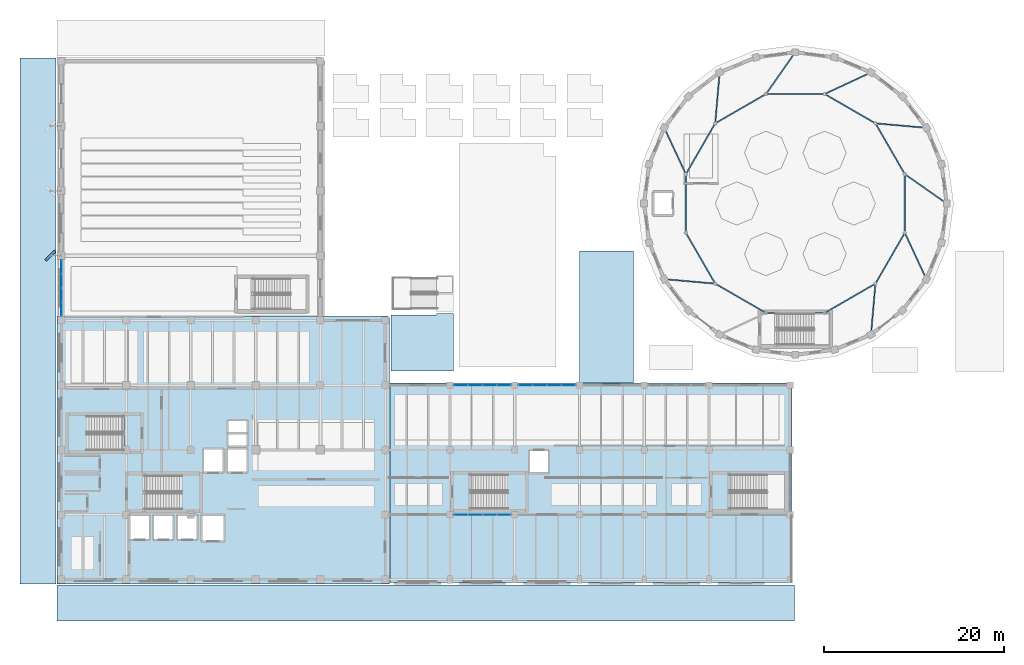
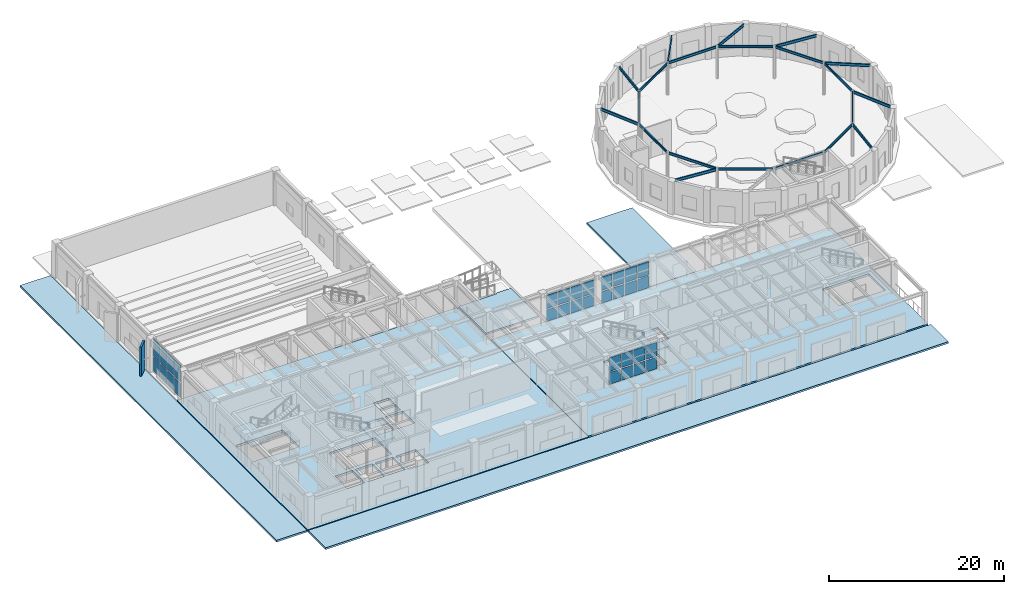
# One storey, part 20 of 39: 33 plates, 21 beams, 9 slabs, 7 elements without a shape of their own.
"""IFC4 building model written with IfcOpenShell, lengths in metres."""

from ifc_helpers import new_model, si_unit, direction, frame, origin, origin_2d, place, context, subcontext, project, spatial, polyline, rectangle, i_section, outline, extrude, material, layer, layer_set, material_profile, profile_set, type_object, element, aggregate, save


model = new_model("IFC4")

# Units and contexts
model_context = context("Model", 3, precision=1e-05, world=origin(), true_north=direction((0.0, 1.0)))
body_context = subcontext(model_context, "Body", "Model", "MODEL_VIEW")
ifc_project = project(units=[si_unit("LENGTHUNIT", "METRE"), si_unit("AREAUNIT", "SQUARE_METRE"), si_unit("VOLUMEUNIT", "CUBIC_METRE"), si_unit("PLANEANGLEUNIT", "RADIAN"), si_unit("MASSUNIT", "GRAM", prefix="KILO")], contexts=[model_context])

# Site, building, storey
site_placement = place(None, origin())
site = spatial("IfcSite", under=ifc_project, at=site_placement, CompositionType="ELEMENT")
building_placement = place(site_placement, origin())
building = spatial("IfcBuilding", under=site, at=building_placement, Name="Kandorven Conservatory and Botanical Research Centre", CompositionType="ELEMENT")
storey_placement = place(building_placement, origin())
storey = spatial("IfcBuildingStorey", under=building, at=storey_placement, Name="L00", CompositionType="ELEMENT", Elevation=0.0)

# Beams
ifc_material_1 = material(Name="Steel S355 (IS 2062 E350)", Category="steel")
ifc_material_profile_1 = material_profile(ifc_material_1, i_section(OverallWidth=0.139892578125, OverallDepth=0.39990234375, WebThickness=0.0087890625, FlangeThickness=0.01611328125, at=origin_2d()))
ifc_profile_set_1 = profile_set([ifc_material_profile_1], Name="Steel S355 (IS 2062 E350)")
beam_type_1 = type_object("IfcBeamType", Name="Beam_SB-05", PredefinedType="BEAM", material=ifc_profile_set_1)
for number, where, z_axis, x_axis, name in (
    (1, (99.8935546875, 50.97509765625, 4.35009765625), (0.818964076375, -0.573844788778, 0.0), (0.573844788778, 0.818964076375, 0.0), "Conservatory walkway radial beam SB-05 01"),
    (2, (96.658935546875, 56.6962890625, 4.35009765625), (0.996171342295, -0.087422290004, 0.0), (0.087422290004, 0.996171342295, 0.0), "Conservatory walkway radial beam SB-05 02"),
    (3, (90.9970703125, 60.0341796875, 4.35009765625), (0.906445297005, 0.42232324532, 0.0), (-0.42232324532, 0.906445297005, 0.0), "Conservatory walkway radial beam SB-05 03"),
    (4, (84.425048828125, 60.093505859375, 4.35009765625), (0.573813196022, 0.818986212382, 0.0), (-0.818986212382, 0.573813196022, 0.0), "Conservatory walkway radial beam SB-05 04"),
    (5, (78.70361328125, 56.85888671875, 4.35009765625), (0.087469032254, 0.99616723917, 0.0), (-0.99616723917, 0.087469032254, 0.0), "Conservatory walkway radial beam SB-05 05"),
    (6, (75.365966796875, 51.197021484375, 4.35009765625), (-0.42232324532, 0.906445297005, 0.0), (-0.906445297005, -0.42232324532, 0.0), "Conservatory walkway radial beam SB-05 06"),
    (7, (78.541015625, 38.903564453125, 4.35009765625), (-0.99616723917, 0.087469032254, 0.0), (-0.087469032254, -0.99616723917, 0.0), "Conservatory walkway radial beam SB-05 08"),
    (8, (96.496337890625, 38.7412109375, 4.35009765625), (-0.087422290004, -0.996171342295, 0.0), (0.996171342295, -0.087422290004, 0.0), "Conservatory walkway radial beam SB-05 11"),
    (9, (99.833984375, 44.40283203125, 4.35009765625), (0.422379978975, -0.906418861984, 0.0), (0.906418861984, 0.422379978975, 0.0), "Conservatory walkway radial beam SB-05 12"),
):
    element("IfcBeam", number, at=place(storey_placement, frame(where, z_axis=z_axis, x_axis=x_axis)), inside=storey, type_object=beam_type_1, Name=name, PredefinedType="BEAM", context=body_context, shape_type="SweptSolid", body=[
        extrude(i_section(OverallWidth=0.139892578125, OverallDepth=0.39990234375, WebThickness=0.0087890625, FlangeThickness=0.01611328125, at=origin_2d()), origin(), (0.0, 0.0, 1.0), 5.18310546875),
    ])
ifc_material_2 = material(Name="Steel S355 (IS 2062 E350)", Category="steel")
ifc_material_profile_2 = material_profile(ifc_material_2, i_section(OverallWidth=0.139892578125, OverallDepth=0.35009765625, WebThickness=0.008056640625, FlangeThickness=0.01416015625, at=origin_2d()))
ifc_profile_set_2 = profile_set([ifc_material_profile_2], Name="Steel S355 (IS 2062 E350)")
beam_type_2 = type_object("IfcBeamType", Name="Beam_SB-06", PredefinedType="BEAM", material=ifc_profile_set_2)
for number, where, z_axis, x_axis, name in (
    (10, (99.69580078125, 51.19091796875, 4.375), (-0.500021330162, 0.86601308846, 0.0), (-0.86601308846, -0.500021330162, 0.0), "Conservatory walkway inner ring beam SB-06 01"),
    (11, (96.379638671875, 56.784423828125, 4.375), (-0.86601308846, 0.500021330162, 0.0), (-0.500021330162, -0.86601308846, 0.0), "Conservatory walkway inner ring beam SB-06 02"),
):
    element("IfcBeam", number, at=place(storey_placement, frame(where, z_axis=z_axis, x_axis=x_axis)), inside=storey, type_object=beam_type_2, Name=name, PredefinedType="BEAM", context=body_context, shape_type="SweptSolid", body=[
        extrude(i_section(OverallWidth=0.139892578125, OverallDepth=0.35009765625, WebThickness=0.008056640625, FlangeThickness=0.01416015625, at=origin_2d()), origin(), (0.0, 0.0, 1.0), 6.222412109375),
    ])
beam_1_placement = place(storey_placement, frame((90.711181640625, 59.970703125, 4.375), z_axis=(-1.0, 0.0, 0.0), x_axis=(0.0, -1.0, 0.0)))
element("IfcBeam", 12, at=beam_1_placement, inside=storey, type_object=beam_type_2, Name="Conservatory walkway inner ring beam SB-06 03", PredefinedType="BEAM", context=body_context, shape_type="SweptSolid", body=[
    extrude(i_section(OverallWidth=0.139892578125, OverallDepth=0.35009765625, WebThickness=0.008056640625, FlangeThickness=0.01416015625, at=origin_2d()), origin(), (0.0, 0.0, 1.0), 6.22216796875),
])
beam_2_placement = place(storey_placement, frame((84.208984375, 59.895751953125, 4.375), z_axis=(-0.86601308846, -0.500021330162, 0.0), x_axis=(0.500021330162, -0.86601308846, 0.0)))
element("IfcBeam", 13, at=beam_2_placement, inside=storey, type_object=beam_type_2, Name="Conservatory walkway inner ring beam SB-06 04", PredefinedType="BEAM", context=body_context, shape_type="SweptSolid", body=[
    extrude(i_section(OverallWidth=0.139892578125, OverallDepth=0.35009765625, WebThickness=0.008056640625, FlangeThickness=0.01416015625, at=origin_2d()), origin(), (0.0, 0.0, 1.0), 6.222412109375),
])
for number, where, z_axis, x_axis, name in (
    (14, (78.615478515625, 56.57958984375, 4.375), (-0.499991903265, -0.866030078386, 0.0), (0.866030078386, -0.499991903265, 0.0), "Conservatory walkway inner ring beam SB-06 05"),
    (15, (75.42919921875, 50.9111328125, 4.375), (0.0, -1.0, 0.0), (1.0, 0.0, 0.0), "Conservatory walkway inner ring beam SB-06 06"),
    (16, (75.50439453125, 44.408935546875, 4.375), (0.500008893506, -0.866020269055, 0.0), (0.866020269055, 0.500008893506, 0.0), "Conservatory walkway inner ring beam SB-06 07"),
    (17, (78.8203125, 38.8154296875, 4.375), (0.866030078386, -0.499991903265, 0.0), (0.499991903265, 0.866030078386, 0.0), "Conservatory walkway inner ring beam SB-06 08"),
    (18, (84.489013671875, 35.62939453125, 4.375), (1.0, 0.0, 0.0), (0.0, 1.0, 0.0), "Conservatory walkway inner ring beam SB-06 09"),
    (19, (90.990966796875, 35.704345703125, 4.375), (0.866030078386, 0.499991903265, 0.0), (-0.499991903265, 0.866030078386, 0.0), "Conservatory walkway inner ring beam SB-06 10"),
    (20, (96.58447265625, 39.0205078125, 4.375), (0.500038320736, 0.866003278167, 0.0), (-0.866003278167, 0.500038320736, 0.0), "Conservatory walkway inner ring beam SB-06 11"),
    (21, (99.770751953125, 44.68896484375, 4.375), (0.0, 1.0, 0.0), (-1.0, 0.0, 0.0), "Conservatory walkway inner ring beam SB-06 12"),
):
    element("IfcBeam", number, at=place(storey_placement, frame(where, z_axis=z_axis, x_axis=x_axis)), inside=storey, type_object=beam_type_2, Name=name, PredefinedType="BEAM", context=body_context, shape_type="SweptSolid", body=[
        extrude(i_section(OverallWidth=0.139892578125, OverallDepth=0.35009765625, WebThickness=0.008056640625, FlangeThickness=0.01416015625, at=origin_2d()), origin(), (0.0, 0.0, 1.0), 6.22216796875),
    ])

# Curtain wall, plates
ifc_material_3 = material(Name="Bronze anodised thermally broken aluminium", Category="aluminium")
ifc_layer_1 = layer(ifc_material_3, 0.179931640625)
ifc_layer_set_1 = layer_set([ifc_layer_1], Name="Bronze anodised thermally broken aluminium")
curtain_wall_type = type_object("IfcCurtainWallType", Name="CW_Unitised", PredefinedType="USERDEFINED", material=ifc_layer_set_1)
curtain_wall_1_placement = place(storey_placement, origin())
curtain_wall_1 = element("IfcCurtainWall", 22, at=curtain_wall_1_placement, inside=storey, type_object=curtain_wall_type, Name="Auditorium foyer curtain wall CW-AUD-L00-1", ObjectType="UNITISED GLAZING", PredefinedType="USERDEFINED")
ifc_material_4 = material(Name="Double-glazed solar-control low-E glass", Category="glass")
ifc_layer_2 = layer(ifc_material_4, 0.028076171875)
ifc_layer_set_2 = layer_set([ifc_layer_2], Name="Double-glazed solar-control low-E glass")
plate_type_1 = type_object("IfcPlateType", Name="CW_Panel", PredefinedType="CURTAIN_PANEL", material=ifc_layer_set_2)
plate_1_placement = place(storey_placement, frame((6.0, 36.038818359375, 0.14990234375), z_axis=(0.0, 0.0, 1.0), x_axis=(0.0, 1.0, 0.0)))
plate_1 = element("IfcPlate", 23, at=plate_1_placement, type_object=plate_type_1, Name="CW-01 panel 1.1", PredefinedType="CURTAIN_PANEL", context=body_context, shape_type="SweptSolid", body=[
    extrude(rectangle(XDim=1.467529296875, YDim=0.028076171875, at=origin_2d()), origin(), (0.0, 0.0, 1.0), 1.97509765625),
])
plate_2_placement = place(storey_placement, frame((6.0, 36.038818359375, 2.27490234375), z_axis=(0.0, 0.0, 1.0), x_axis=(0.0, 1.0, 0.0)))
plate_2 = element("IfcPlate", 24, at=plate_2_placement, type_object=plate_type_1, Name="CW-01 panel 1.2", PredefinedType="CURTAIN_PANEL", context=body_context, shape_type="SweptSolid", body=[
    extrude(rectangle(XDim=1.467529296875, YDim=0.028076171875, at=origin_2d()), origin(), (0.0, 0.0, 1.0), 2.375),
])
plate_3_placement = place(storey_placement, frame((6.0, 37.606201171875, 0.14990234375), z_axis=(0.0, 0.0, 1.0), x_axis=(0.0, 1.0, 0.0)))
plate_3 = element("IfcPlate", 25, at=plate_3_placement, type_object=plate_type_1, Name="CW-01 panel 2.1", PredefinedType="CURTAIN_PANEL", context=body_context, shape_type="SweptSolid", body=[
    extrude(rectangle(XDim=1.507568359375, YDim=0.028076171875, at=origin_2d()), origin(), (0.0, 0.0, 1.0), 1.97509765625),
])
plate_4_placement = place(storey_placement, frame((6.0, 37.606201171875, 2.27490234375), z_axis=(0.0, 0.0, 1.0), x_axis=(0.0, 1.0, 0.0)))
plate_4 = element("IfcPlate", 26, at=plate_4_placement, type_object=plate_type_1, Name="CW-01 panel 2.2", PredefinedType="CURTAIN_PANEL", context=body_context, shape_type="SweptSolid", body=[
    extrude(rectangle(XDim=1.507568359375, YDim=0.028076171875, at=origin_2d()), origin(), (0.0, 0.0, 1.0), 2.375),
])
plate_5_placement = place(storey_placement, frame((6.0, 39.19384765625, 0.14990234375), z_axis=(0.0, 0.0, 1.0), x_axis=(0.0, 1.0, 0.0)))
plate_5 = element("IfcPlate", 27, at=plate_5_placement, type_object=plate_type_1, Name="CW-01 panel 3.1", PredefinedType="CURTAIN_PANEL", context=body_context, shape_type="SweptSolid", body=[
    extrude(rectangle(XDim=1.507568359375, YDim=0.028076171875, at=origin_2d()), origin(), (0.0, 0.0, 1.0), 1.97509765625),
])
plate_6_placement = place(storey_placement, frame((6.0, 39.19384765625, 2.27490234375), z_axis=(0.0, 0.0, 1.0), x_axis=(0.0, 1.0, 0.0)))
plate_6 = element("IfcPlate", 28, at=plate_6_placement, type_object=plate_type_1, Name="CW-01 panel 3.2", PredefinedType="CURTAIN_PANEL", context=body_context, shape_type="SweptSolid", body=[
    extrude(rectangle(XDim=1.507568359375, YDim=0.028076171875, at=origin_2d()), origin(), (0.0, 0.0, 1.0), 2.375),
])
plate_7_placement = place(storey_placement, frame((6.0, 40.76123046875, 0.14990234375), z_axis=(0.0, 0.0, 1.0), x_axis=(0.0, 1.0, 0.0)))
plate_7 = element("IfcPlate", 29, at=plate_7_placement, type_object=plate_type_1, Name="CW-01 panel 4.1", PredefinedType="CURTAIN_PANEL", context=body_context, shape_type="SweptSolid", body=[
    extrude(rectangle(XDim=1.467529296875, YDim=0.028076171875, at=origin_2d()), origin(), (0.0, 0.0, 1.0), 1.97509765625),
])
plate_8_placement = place(storey_placement, frame((6.0, 40.76123046875, 2.27490234375), z_axis=(0.0, 0.0, 1.0), x_axis=(0.0, 1.0, 0.0)))
plate_8 = element("IfcPlate", 30, at=plate_8_placement, type_object=plate_type_1, Name="CW-01 panel 4.2", PredefinedType="CURTAIN_PANEL", context=body_context, shape_type="SweptSolid", body=[
    extrude(rectangle(XDim=1.467529296875, YDim=0.028076171875, at=origin_2d()), origin(), (0.0, 0.0, 1.0), 2.375),
])
aggregate(curtain_wall_1, [plate_1, plate_2, plate_3, plate_4, plate_5, plate_6, plate_7, plate_8])

curtain_wall_2_placement = place(storey_placement, origin())
curtain_wall_2 = element("IfcCurtainWall", 31, at=curtain_wall_2_placement, inside=storey, type_object=curtain_wall_type, Name="Visitor wing unitised curtain wall CW-VIS-S-L00-2", ObjectType="UNITISED GLAZING", PredefinedType="USERDEFINED")
plate_9_placement = place(storey_placement, frame((50.4013671875, 13.199951171875, 0.14990234375), z_axis=(0.0, 0.0, 1.0), x_axis=(1.0, 0.0, 0.0)))
plate_9 = element("IfcPlate", 32, at=plate_9_placement, type_object=plate_type_1, Name="CW-01 panel 1.1", PredefinedType="CURTAIN_PANEL", context=body_context, shape_type="SweptSolid", body=[
    extrude(rectangle(XDim=1.492431640625, YDim=0.028076171875, at=origin_2d()), origin(), (0.0, 0.0, 1.0), 1.625),
])
plate_10_placement = place(storey_placement, frame((50.4013671875, 13.199951171875, 1.925048828125), z_axis=(0.0, 0.0, 1.0), x_axis=(1.0, 0.0, 0.0)))
plate_10 = element("IfcPlate", 33, at=plate_10_placement, type_object=plate_type_1, Name="CW-01 panel 1.2", PredefinedType="CURTAIN_PANEL", context=body_context, shape_type="SweptSolid", body=[
    extrude(rectangle(XDim=1.492431640625, YDim=0.028076171875, at=origin_2d()), origin(), (0.0, 0.0, 1.0), 1.89501953125),
])
plate_11_placement = place(storey_placement, frame((51.99365234375, 13.199951171875, 0.14990234375), z_axis=(0.0, 0.0, 1.0), x_axis=(1.0, 0.0, 0.0)))
plate_11 = element("IfcPlate", 34, at=plate_11_placement, type_object=plate_type_1, Name="CW-01 panel 2.1", PredefinedType="CURTAIN_PANEL", context=body_context, shape_type="SweptSolid", body=[
    extrude(rectangle(XDim=1.532470703125, YDim=0.028076171875, at=origin_2d()), origin(), (0.0, 0.0, 1.0), 1.625),
])
plate_12_placement = place(storey_placement, frame((51.99365234375, 13.199951171875, 1.925048828125), z_axis=(0.0, 0.0, 1.0), x_axis=(1.0, 0.0, 0.0)))
plate_12 = element("IfcPlate", 35, at=plate_12_placement, type_object=plate_type_1, Name="CW-01 panel 2.2", PredefinedType="CURTAIN_PANEL", context=body_context, shape_type="SweptSolid", body=[
    extrude(rectangle(XDim=1.532470703125, YDim=0.028076171875, at=origin_2d()), origin(), (0.0, 0.0, 1.0), 1.89501953125),
])
plate_13_placement = place(storey_placement, frame((53.606201171875, 13.199951171875, 0.14990234375), z_axis=(0.0, 0.0, 1.0), x_axis=(1.0, 0.0, 0.0)))
plate_13 = element("IfcPlate", 36, at=plate_13_placement, type_object=plate_type_1, Name="CW-01 panel 3.1", PredefinedType="CURTAIN_PANEL", context=body_context, shape_type="SweptSolid", body=[
    extrude(rectangle(XDim=1.532470703125, YDim=0.028076171875, at=origin_2d()), origin(), (0.0, 0.0, 1.0), 1.625),
])
plate_14_placement = place(storey_placement, frame((53.606201171875, 13.199951171875, 1.925048828125), z_axis=(0.0, 0.0, 1.0), x_axis=(1.0, 0.0, 0.0)))
plate_14 = element("IfcPlate", 37, at=plate_14_placement, type_object=plate_type_1, Name="CW-01 panel 3.2", PredefinedType="CURTAIN_PANEL", context=body_context, shape_type="SweptSolid", body=[
    extrude(rectangle(XDim=1.532470703125, YDim=0.028076171875, at=origin_2d()), origin(), (0.0, 0.0, 1.0), 1.89501953125),
])
plate_15_placement = place(storey_placement, frame((55.19873046875, 13.199951171875, 0.14990234375), z_axis=(0.0, 0.0, 1.0), x_axis=(1.0, 0.0, 0.0)))
plate_15 = element("IfcPlate", 38, at=plate_15_placement, type_object=plate_type_1, Name="CW-01 panel 4.1", PredefinedType="CURTAIN_PANEL", context=body_context, shape_type="SweptSolid", body=[
    extrude(rectangle(XDim=1.492431640625, YDim=0.028076171875, at=origin_2d()), origin(), (0.0, 0.0, 1.0), 1.625),
])
plate_16_placement = place(storey_placement, frame((55.19873046875, 13.199951171875, 1.925048828125), z_axis=(0.0, 0.0, 1.0), x_axis=(1.0, 0.0, 0.0)))
plate_16 = element("IfcPlate", 39, at=plate_16_placement, type_object=plate_type_1, Name="CW-01 panel 4.2", PredefinedType="CURTAIN_PANEL", context=body_context, shape_type="SweptSolid", body=[
    extrude(rectangle(XDim=1.492431640625, YDim=0.028076171875, at=origin_2d()), origin(), (0.0, 0.0, 1.0), 1.89501953125),
])
aggregate(curtain_wall_2, [plate_9, plate_10, plate_11, plate_12, plate_13, plate_14, plate_15, plate_16])

curtain_wall_3_placement = place(storey_placement, origin())
curtain_wall_3 = element("IfcCurtainWall", 40, at=curtain_wall_3_placement, inside=storey, type_object=curtain_wall_type, Name="Visitor wing unitised curtain wall CW-VIS-N-L00-2", ObjectType="UNITISED GLAZING", PredefinedType="USERDEFINED")
plate_17_placement = place(storey_placement, frame((50.4013671875, 27.60009765625, 0.14990234375), z_axis=(0.0, 0.0, 1.0), x_axis=(1.0, 0.0, 0.0)))
plate_17 = element("IfcPlate", 41, at=plate_17_placement, type_object=plate_type_1, Name="CW-01 panel 1.1", PredefinedType="CURTAIN_PANEL", context=body_context, shape_type="SweptSolid", body=[
    extrude(rectangle(XDim=1.492431640625, YDim=0.028076171875, at=origin_2d()), origin(), (0.0, 0.0, 1.0), 1.625),
])
plate_18_placement = place(storey_placement, frame((50.4013671875, 27.60009765625, 1.925048828125), z_axis=(0.0, 0.0, 1.0), x_axis=(1.0, 0.0, 0.0)))
plate_18 = element("IfcPlate", 42, at=plate_18_placement, type_object=plate_type_1, Name="CW-01 panel 1.2", PredefinedType="CURTAIN_PANEL", context=body_context, shape_type="SweptSolid", body=[
    extrude(rectangle(XDim=1.492431640625, YDim=0.028076171875, at=origin_2d()), origin(), (0.0, 0.0, 1.0), 1.89501953125),
])
plate_19_placement = place(storey_placement, frame((51.99365234375, 27.60009765625, 0.14990234375), z_axis=(0.0, 0.0, 1.0), x_axis=(1.0, 0.0, 0.0)))
plate_19 = element("IfcPlate", 43, at=plate_19_placement, type_object=plate_type_1, Name="CW-01 panel 2.1", PredefinedType="CURTAIN_PANEL", context=body_context, shape_type="SweptSolid", body=[
    extrude(rectangle(XDim=1.532470703125, YDim=0.028076171875, at=origin_2d()), origin(), (0.0, 0.0, 1.0), 1.625),
])
plate_20_placement = place(storey_placement, frame((51.99365234375, 27.60009765625, 1.925048828125), z_axis=(0.0, 0.0, 1.0), x_axis=(1.0, 0.0, 0.0)))
plate_20 = element("IfcPlate", 44, at=plate_20_placement, type_object=plate_type_1, Name="CW-01 panel 2.2", PredefinedType="CURTAIN_PANEL", context=body_context, shape_type="SweptSolid", body=[
    extrude(rectangle(XDim=1.532470703125, YDim=0.028076171875, at=origin_2d()), origin(), (0.0, 0.0, 1.0), 1.89501953125),
])
plate_21_placement = place(storey_placement, frame((53.606201171875, 27.60009765625, 0.14990234375), z_axis=(0.0, 0.0, 1.0), x_axis=(1.0, 0.0, 0.0)))
plate_21 = element("IfcPlate", 45, at=plate_21_placement, type_object=plate_type_1, Name="CW-01 panel 3.1", PredefinedType="CURTAIN_PANEL", context=body_context, shape_type="SweptSolid", body=[
    extrude(rectangle(XDim=1.532470703125, YDim=0.028076171875, at=origin_2d()), origin(), (0.0, 0.0, 1.0), 1.625),
])
plate_22_placement = place(storey_placement, frame((53.606201171875, 27.60009765625, 1.925048828125), z_axis=(0.0, 0.0, 1.0), x_axis=(1.0, 0.0, 0.0)))
plate_22 = element("IfcPlate", 46, at=plate_22_placement, type_object=plate_type_1, Name="CW-01 panel 3.2", PredefinedType="CURTAIN_PANEL", context=body_context, shape_type="SweptSolid", body=[
    extrude(rectangle(XDim=1.532470703125, YDim=0.028076171875, at=origin_2d()), origin(), (0.0, 0.0, 1.0), 1.89501953125),
])
plate_23_placement = place(storey_placement, frame((55.19873046875, 27.60009765625, 0.14990234375), z_axis=(0.0, 0.0, 1.0), x_axis=(1.0, 0.0, 0.0)))
plate_23 = element("IfcPlate", 47, at=plate_23_placement, type_object=plate_type_1, Name="CW-01 panel 4.1", PredefinedType="CURTAIN_PANEL", context=body_context, shape_type="SweptSolid", body=[
    extrude(rectangle(XDim=1.492431640625, YDim=0.028076171875, at=origin_2d()), origin(), (0.0, 0.0, 1.0), 1.625),
])
plate_24_placement = place(storey_placement, frame((55.19873046875, 27.60009765625, 1.925048828125), z_axis=(0.0, 0.0, 1.0), x_axis=(1.0, 0.0, 0.0)))
plate_24 = element("IfcPlate", 48, at=plate_24_placement, type_object=plate_type_1, Name="CW-01 panel 4.2", PredefinedType="CURTAIN_PANEL", context=body_context, shape_type="SweptSolid", body=[
    extrude(rectangle(XDim=1.492431640625, YDim=0.028076171875, at=origin_2d()), origin(), (0.0, 0.0, 1.0), 1.89501953125),
])
aggregate(curtain_wall_3, [plate_17, plate_18, plate_19, plate_20, plate_21, plate_22, plate_23, plate_24])

curtain_wall_4_placement = place(storey_placement, origin())
curtain_wall_4 = element("IfcCurtainWall", 49, at=curtain_wall_4_placement, inside=storey, type_object=curtain_wall_type, Name="Visitor wing unitised curtain wall CW-VIS-N-L00-3", ObjectType="UNITISED GLAZING", PredefinedType="USERDEFINED")
plate_25_placement = place(storey_placement, frame((57.601318359375, 27.60009765625, 0.14990234375), z_axis=(0.0, 0.0, 1.0), x_axis=(1.0, 0.0, 0.0)))
plate_25 = element("IfcPlate", 50, at=plate_25_placement, type_object=plate_type_1, Name="CW-01 panel 1.1", PredefinedType="CURTAIN_PANEL", context=body_context, shape_type="SweptSolid", body=[
    extrude(rectangle(XDim=1.492431640625, YDim=0.028076171875, at=origin_2d()), origin(), (0.0, 0.0, 1.0), 1.625),
])
plate_26_placement = place(storey_placement, frame((57.601318359375, 27.60009765625, 1.925048828125), z_axis=(0.0, 0.0, 1.0), x_axis=(1.0, 0.0, 0.0)))
plate_26 = element("IfcPlate", 51, at=plate_26_placement, type_object=plate_type_1, Name="CW-01 panel 1.2", PredefinedType="CURTAIN_PANEL", context=body_context, shape_type="SweptSolid", body=[
    extrude(rectangle(XDim=1.492431640625, YDim=0.028076171875, at=origin_2d()), origin(), (0.0, 0.0, 1.0), 1.89501953125),
])
plate_27_placement = place(storey_placement, frame((59.19384765625, 27.60009765625, 0.14990234375), z_axis=(0.0, 0.0, 1.0), x_axis=(1.0, 0.0, 0.0)))
plate_27 = element("IfcPlate", 52, at=plate_27_placement, type_object=plate_type_1, Name="CW-01 panel 2.1", PredefinedType="CURTAIN_PANEL", context=body_context, shape_type="SweptSolid", body=[
    extrude(rectangle(XDim=1.532470703125, YDim=0.028076171875, at=origin_2d()), origin(), (0.0, 0.0, 1.0), 1.625),
])
plate_28_placement = place(storey_placement, frame((59.19384765625, 27.60009765625, 1.925048828125), z_axis=(0.0, 0.0, 1.0), x_axis=(1.0, 0.0, 0.0)))
plate_28 = element("IfcPlate", 53, at=plate_28_placement, type_object=plate_type_1, Name="CW-01 panel 2.2", PredefinedType="CURTAIN_PANEL", context=body_context, shape_type="SweptSolid", body=[
    extrude(rectangle(XDim=1.532470703125, YDim=0.028076171875, at=origin_2d()), origin(), (0.0, 0.0, 1.0), 1.89501953125),
])
plate_29_placement = place(storey_placement, frame((60.80615234375, 27.60009765625, 0.14990234375), z_axis=(0.0, 0.0, 1.0), x_axis=(1.0, 0.0, 0.0)))
plate_29 = element("IfcPlate", 54, at=plate_29_placement, type_object=plate_type_1, Name="CW-01 panel 3.1", PredefinedType="CURTAIN_PANEL", context=body_context, shape_type="SweptSolid", body=[
    extrude(rectangle(XDim=1.532470703125, YDim=0.028076171875, at=origin_2d()), origin(), (0.0, 0.0, 1.0), 1.625),
])
plate_30_placement = place(storey_placement, frame((60.80615234375, 27.60009765625, 1.925048828125), z_axis=(0.0, 0.0, 1.0), x_axis=(1.0, 0.0, 0.0)))
plate_30 = element("IfcPlate", 55, at=plate_30_placement, type_object=plate_type_1, Name="CW-01 panel 3.2", PredefinedType="CURTAIN_PANEL", context=body_context, shape_type="SweptSolid", body=[
    extrude(rectangle(XDim=1.532470703125, YDim=0.028076171875, at=origin_2d()), origin(), (0.0, 0.0, 1.0), 1.89501953125),
])
plate_31_placement = place(storey_placement, frame((62.398681640625, 27.60009765625, 0.14990234375), z_axis=(0.0, 0.0, 1.0), x_axis=(1.0, 0.0, 0.0)))
plate_31 = element("IfcPlate", 56, at=plate_31_placement, type_object=plate_type_1, Name="CW-01 panel 4.1", PredefinedType="CURTAIN_PANEL", context=body_context, shape_type="SweptSolid", body=[
    extrude(rectangle(XDim=1.492431640625, YDim=0.028076171875, at=origin_2d()), origin(), (0.0, 0.0, 1.0), 1.625),
])
plate_32_placement = place(storey_placement, frame((62.398681640625, 27.60009765625, 1.925048828125), z_axis=(0.0, 0.0, 1.0), x_axis=(1.0, 0.0, 0.0)))
plate_32 = element("IfcPlate", 57, at=plate_32_placement, type_object=plate_type_1, Name="CW-01 panel 4.2", PredefinedType="CURTAIN_PANEL", context=body_context, shape_type="SweptSolid", body=[
    extrude(rectangle(XDim=1.492431640625, YDim=0.028076171875, at=origin_2d()), origin(), (0.0, 0.0, 1.0), 1.89501953125),
])
aggregate(curtain_wall_4, [plate_25, plate_26, plate_27, plate_28, plate_29, plate_30, plate_31, plate_32])

# Plate
ifc_material_5 = material(Name="Precast concrete C40/50 (M50)", Category="concrete")
ifc_layer_3 = layer(ifc_material_5, 0.2451171875)
ifc_layer_set_3 = layer_set([ifc_layer_3], Name="Precast concrete C40/50 (M50)")
plate_type_2 = type_object("IfcPlateType", Name="Fin_BF-02", PredefinedType="USERDEFINED", material=ifc_layer_set_3)
plate_33_placement = place(storey_placement, frame((4.780029296875, 42.0, -0.14990234375), z_axis=(0.0, 0.0, 1.0), x_axis=(0.707106781187, 0.707106781187, 0.0)))
element("IfcPlate", 58, at=plate_33_placement, inside=storey, type_object=plate_type_2, Name="Auditorium sculpted concrete acoustic fin BF-02", ObjectType="SOLAR FIN", PredefinedType="USERDEFINED", context=body_context, shape_type="SweptSolid", body=[
    extrude(rectangle(XDim=1.4599609375, YDim=0.2451171875, at=origin_2d()), origin(), (0.0, 0.0, 1.0), 4.199951171875),
])

# Slabs
ifc_material_6 = material(Name="Concrete C32/40 (M40)", Category="concrete")
ifc_layer_4 = layer(ifc_material_6, 0.300048828125)
ifc_layer_set_4 = layer_set([ifc_layer_4], Name="Concrete C32/40 (M40)")
slab_type_1 = type_object("IfcSlabType", Name="Slab_SL-03", PredefinedType="FLOOR", material=ifc_layer_set_4)
slab_1_placement = place(storey_placement, frame((0.0, 0.0, -0.300048828125)))
element("IfcSlab", 59, at=slab_1_placement, inside=storey, type_object=slab_type_1, Name="Tower floor slab L00", PredefinedType="FLOOR", context=body_context, shape_type="SweptSolid", body=[
    extrude(outline(polyline([(5.5, 5.5), (42.5, 5.5), (42.5, 35.10009765625), (42.300048828125, 35.10009765625), (42.300048828125, 35.300048828125), (5.5, 35.300048828125), (5.5, 5.5)]), holes=[polyline([(15.239990234375, 13.780029296875), (21.3798828125, 13.780029296875), (21.3798828125, 17.570068359375), (15.239990234375, 17.570068359375), (15.239990234375, 13.780029296875)]), polyline([(12.9599609375, 24.14990234375), (6.820068359375, 24.14990234375), (6.820068359375, 20.360107421875), (12.9599609375, 20.360107421875), (12.9599609375, 24.14990234375)]), polyline([(21.75, 17.85009765625), (24.050048828125, 17.85009765625), (24.050048828125, 20.550048828125), (21.75, 20.550048828125), (21.75, 17.85009765625)]), polyline([(24.39990234375, 17.85009765625), (26.699951171875, 17.85009765625), (26.699951171875, 20.550048828125), (24.39990234375, 20.550048828125), (24.39990234375, 17.85009765625)]), polyline([(13.550048828125, 10.39990234375), (15.85009765625, 10.39990234375), (15.85009765625, 13.199951171875), (13.550048828125, 13.199951171875), (13.550048828125, 10.39990234375)]), polyline([(16.199951171875, 10.39990234375), (18.5, 10.39990234375), (18.5, 13.199951171875), (16.199951171875, 13.199951171875), (16.199951171875, 10.39990234375)]), polyline([(18.85009765625, 10.39990234375), (21.14990234375, 10.39990234375), (21.14990234375, 13.199951171875), (18.85009765625, 13.199951171875), (18.85009765625, 10.39990234375)]), polyline([(21.550048828125, 10.199951171875), (24.14990234375, 10.199951171875), (24.14990234375, 13.199951171875), (21.550048828125, 13.199951171875), (21.550048828125, 10.199951171875)]), polyline([(24.60009765625, 20.89990234375), (26.60009765625, 20.89990234375), (26.60009765625, 22.10009765625), (24.60009765625, 22.10009765625), (24.60009765625, 20.89990234375)]), polyline([(24.60009765625, 22.39990234375), (26.60009765625, 22.39990234375), (26.60009765625, 23.60009765625), (24.60009765625, 23.60009765625), (24.60009765625, 22.39990234375)])]), origin(), (0.0, 0.0, 1.0), 0.300048828125),
])
slab_2_placement = place(storey_placement, frame((0.0, 0.0, -0.300048828125)))
element("IfcSlab", 60, at=slab_2_placement, inside=storey, type_object=slab_type_1, Name="Visitor and education wing L00 floor slab", PredefinedType="FLOOR", context=body_context, shape_type="SweptSolid", body=[
    extrude(outline(polyline([(42.56005859375, 5.64990234375), (87.239990234375, 5.64990234375), (87.239990234375, 27.6201171875), (87.02001953125, 27.6201171875), (87.02001953125, 27.840087890625), (42.56005859375, 27.840087890625), (42.56005859375, 5.64990234375)]), holes=[polyline([(51.43994140625, 13.85009765625), (57.580078125, 13.85009765625), (57.580078125, 17.639892578125), (51.43994140625, 17.639892578125), (51.43994140625, 13.85009765625)]), polyline([(80.239990234375, 13.85009765625), (86.3798828125, 13.85009765625), (86.3798828125, 17.639892578125), (80.239990234375, 17.639892578125), (80.239990234375, 13.85009765625)]), polyline([(58.0, 17.800048828125), (60.199951171875, 17.800048828125), (60.199951171875, 20.39990234375), (58.0, 20.39990234375), (58.0, 17.800048828125)])]), origin(), (0.0, 0.0, 1.0), 0.300048828125),
])
ifc_material_7 = material(Name="Concrete C32/40 (M40)", Category="concrete")
ifc_layer_5 = layer(ifc_material_7, 0.25)
ifc_layer_set_5 = layer_set([ifc_layer_5], Name="Concrete C32/40 (M40)")
slab_type_2 = type_object("IfcSlabType", Name="Slab_SL-06", PredefinedType="FLOOR", material=ifc_layer_set_5)
slab_3_placement = place(storey_placement, frame((0.0, 0.0, -0.25)))
element("IfcSlab", 61, at=slab_3_placement, inside=storey, type_object=slab_type_2, Name="Courtyard entrance plaza deck L00", PredefinedType="FLOOR", context=body_context, shape_type="SweptSolid", body=[
    extrude(outline(polyline([(42.64990234375, 29.199951171875), (49.60009765625, 29.199951171875), (49.60009765625, 35.550048828125), (47.699951171875, 35.550048828125), (47.699951171875, 35.39990234375), (42.64990234375, 35.39990234375), (42.64990234375, 29.199951171875)])), origin(), (0.0, 0.0, 1.0), 0.25),
])
slab_4_placement = place(storey_placement, frame((0.0, 0.0, -0.25)))
element("IfcSlab", 62, at=slab_4_placement, inside=storey, type_object=slab_type_2, Name="South boulevard pedestrian forecourt and arcade apron", PredefinedType="FLOOR", context=body_context, shape_type="SweptSolid", body=[
    extrude(outline(polyline([(5.5, 1.39990234375), (87.5, 1.39990234375), (87.5, 5.39990234375), (5.5, 5.39990234375), (5.5, 1.39990234375)])), origin(), (0.0, 0.0, 1.0), 0.25),
])
slab_5_placement = place(storey_placement, frame((0.0, 0.0, -0.25)))
element("IfcSlab", 63, at=slab_5_placement, inside=storey, type_object=slab_type_2, Name="West historic street pedestrian and fire-tender apron", PredefinedType="FLOOR", context=body_context, shape_type="SweptSolid", body=[
    extrude(outline(polyline([(1.39990234375, 5.47998046875), (5.39990234375, 5.47998046875), (5.39990234375, 64.0), (1.39990234375, 64.0), (1.39990234375, 5.47998046875)])), origin(), (0.0, 0.0, 1.0), 0.25),
])
slab_6_placement = place(storey_placement, frame((0.0, 0.0, -0.25)))
element("IfcSlab", 64, at=slab_6_placement, inside=storey, type_object=slab_type_2, Name="West conservatory courtyard promenade", PredefinedType="FLOOR", context=body_context, shape_type="SweptSolid", body=[
    extrude(outline(polyline([(63.60009765625, 27.860107421875), (69.60009765625, 27.860107421875), (69.60009765625, 42.5), (63.60009765625, 42.5), (63.60009765625, 27.860107421875)])), origin(), (0.0, 0.0, 1.0), 0.25),
])

# Stair, slab
ifc_material_8 = material(Name="Concrete C32/40 (M40)", Category="concrete")
stair_type = type_object("IfcStairType", Name="Stair_1820", PredefinedType="HALF_TURN_STAIR", material=ifc_material_8)
stair_1_placement = place(storey_placement, origin())
stair_1 = element("IfcStair", 65, at=stair_1_placement, inside=storey, type_object=stair_type, Name="L00 Tower Fire Stair ST-T1", PredefinedType="HALF_TURN_STAIR")
ifc_material_9 = material(Name="Concrete C32/40 (M40)", Category="concrete")
ifc_layer_6 = layer(ifc_material_9, 0.199951171875)
ifc_layer_set_6 = layer_set([ifc_layer_6], Name="Concrete C32/40 (M40)")
slab_type_3 = type_object("IfcSlabType", Name="StairLanding_200", PredefinedType="LANDING", material=ifc_layer_set_6)
slab_7_placement = place(storey_placement, frame((0.0, 0.0, 2.199951171875)))
slab_7 = element("IfcSlab", 66, at=slab_7_placement, type_object=slab_type_3, Name="ST-T1 landing 1", PredefinedType="LANDING", context=body_context, shape_type="SweptSolid", body=[
    extrude(outline(polyline([(19.259521484375, 13.5400390625), (21.6201171875, 13.5400390625), (21.6201171875, 17.81005859375), (19.259521484375, 17.81005859375), (19.259521484375, 13.5400390625)])), origin(), (0.0, 0.0, 1.0), 0.199951171875),
])
aggregate(stair_1, [slab_7])

stair_2_placement = place(storey_placement, origin())
stair_2 = element("IfcStair", 67, at=stair_2_placement, inside=storey, type_object=stair_type, Name="L00 Tower Fire Stair ST-T2", PredefinedType="HALF_TURN_STAIR")
slab_8_placement = place(storey_placement, frame((0.0, 0.0, 2.199951171875)))
slab_8 = element("IfcSlab", 68, at=slab_8_placement, type_object=slab_type_3, Name="ST-T2 landing 1", PredefinedType="LANDING", context=body_context, shape_type="SweptSolid", body=[
    extrude(outline(polyline([(8.9404296875, 24.389892578125), (6.580078125, 24.389892578125), (6.580078125, 20.1201171875), (8.9404296875, 20.1201171875), (8.9404296875, 24.389892578125)])), origin(), (0.0, 0.0, 1.0), 0.199951171875),
])
aggregate(stair_2, [slab_8])

stair_3_placement = place(storey_placement, origin())
stair_3 = element("IfcStair", 69, at=stair_3_placement, inside=storey, type_object=stair_type, Name="L00 Visitor Wing Stair ST-V3A", PredefinedType="HALF_TURN_STAIR")
slab_9_placement = place(storey_placement, frame((0.0, 0.0, 2.199951171875)))
slab_9 = element("IfcSlab", 70, at=slab_9_placement, type_object=slab_type_3, Name="ST-V3A landing 1", PredefinedType="LANDING", context=body_context, shape_type="SweptSolid", body=[
    extrude(outline(polyline([(55.45947265625, 13.610107421875), (57.820068359375, 13.610107421875), (57.820068359375, 17.8798828125), (55.45947265625, 17.8798828125), (55.45947265625, 13.610107421875)])), origin(), (0.0, 0.0, 1.0), 0.199951171875),
])
aggregate(stair_3, [slab_9])

save(model, "model.ifc")
